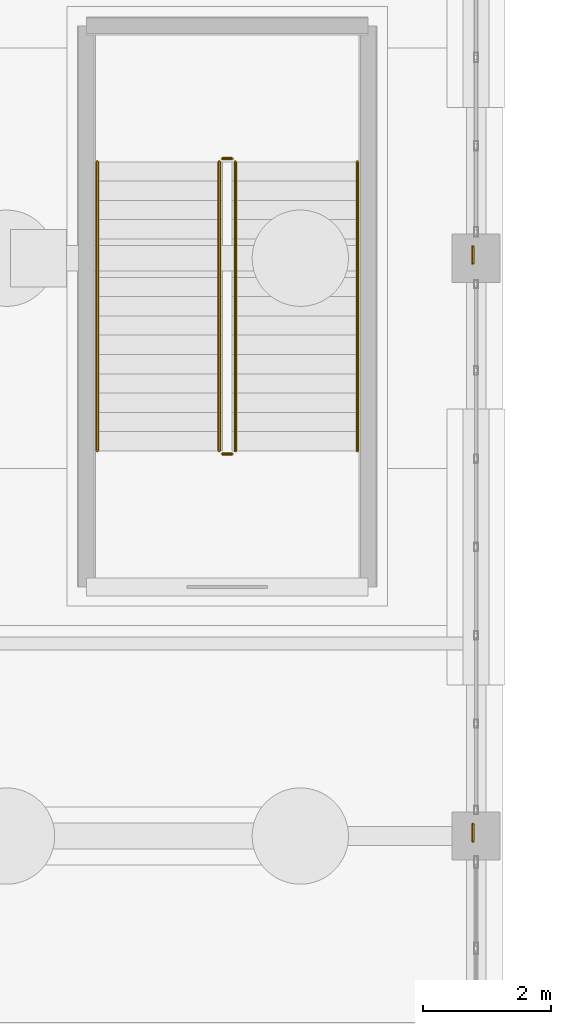
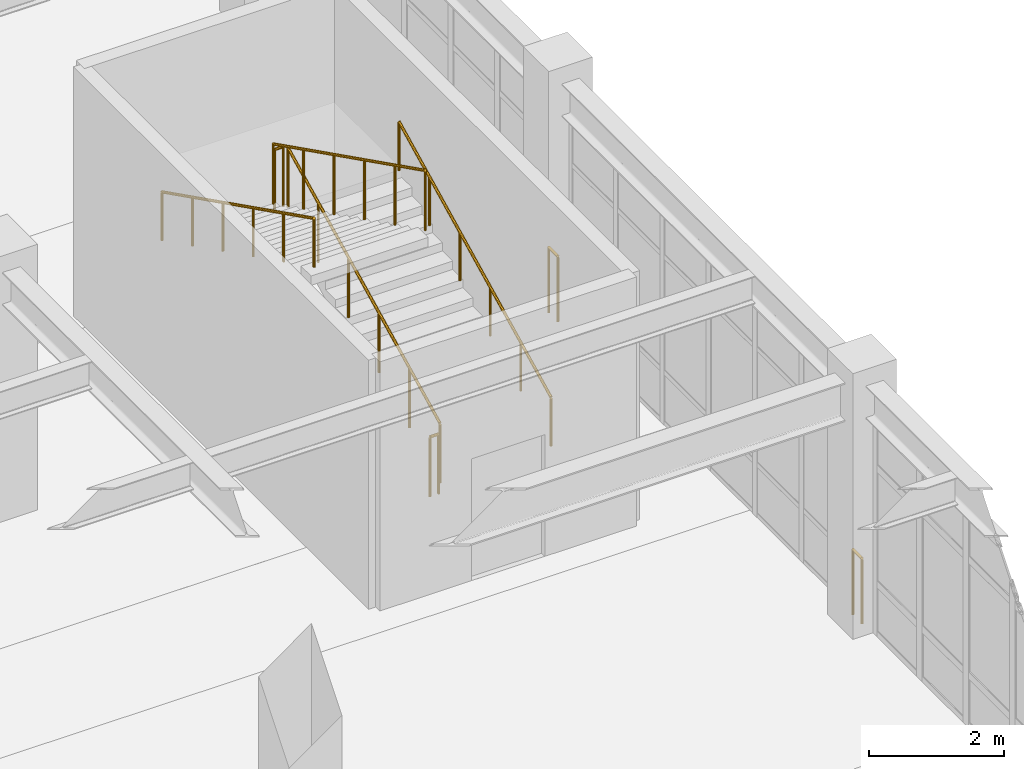
# One storey, part 136 of 139: 8 railings.
"""IFC4 building model written with IfcOpenShell, lengths in metres."""

from ifc_helpers import new_model, si_unit, direction, frame, origin, origin_2d, place, context, subcontext, project, spatial, circle, extrude, material, type_object, element, save


model = new_model("IFC4")

# Units and contexts
model_context = context("Model", 3, precision=1e-05, world=origin(), true_north=direction((0.0, 1.0)))
body_context = subcontext(model_context, "Body", "Model", "MODEL_VIEW")
ifc_project = project(units=[si_unit("LENGTHUNIT", "METRE"), si_unit("AREAUNIT", "SQUARE_METRE"), si_unit("VOLUMEUNIT", "CUBIC_METRE"), si_unit("PLANEANGLEUNIT", "RADIAN"), si_unit("MASSUNIT", "GRAM", prefix="KILO")], contexts=[model_context])

# Site, building, storey
site_placement = place(None, origin())
site = spatial("IfcSite", under=ifc_project, at=site_placement, CompositionType="ELEMENT")
building_placement = place(site_placement, origin())
building = spatial("IfcBuilding", under=site, at=building_placement, Name="Canglan Escarpment Cableway Terminal", CompositionType="ELEMENT")
storey_placement = place(building_placement, frame((0.0, 0.0, 14.39990234375)))
storey = spatial("IfcBuildingStorey", under=building, at=storey_placement, Name="L03", CompositionType="ELEMENT", Elevation=14.39990234375)

# Railings
ifc_material_1 = material(Name="Carved limestone and anodized bronze balustrade", Category="masonry")
railing_type_1 = type_object("IfcRailingType", Name="RL-EXT-BALUSTRADE-1200", PredefinedType="BALUSTRADE", material=ifc_material_1)
for number, where, name in (
    (1, (166.35009765625, 97.18505859375, 0.0), "Classical terrace balustrade guard GD-01 (L03)"),
    (2, (166.35009765625, 88.18505859375, 0.0), "Classical terrace balustrade guard GD-01 (L03)"),
):
    element("IfcRailing", number, at=place(storey_placement, frame(where)), inside=storey, type_object=railing_type_1, Name=name, PredefinedType="BALUSTRADE", context=body_context, shape_type="SweptSolid", body=[
        extrude(circle(Radius=0.02392578125, at=origin_2d()), frame((0.0, 0.0, 1.17578125), z_axis=(0.0, -1.0, 0.0), x_axis=(1.0, 0.0, 0.0)), (0.0, 0.0, 1.0), 0.27001953125),
        extrude(circle(Radius=0.02099609375, at=origin_2d()), origin(), (0.0, 0.0, 1.0), 1.15185546875),
        extrude(circle(Radius=0.02099609375, at=origin_2d()), frame((0.0, -0.27001953125, 0.0)), (0.0, 0.0, 1.0), 1.15185546875),
    ])
ifc_material_2 = material(Name="Powder-coated steel stair balustrade", Category="steel")
railing_type_2 = type_object("IfcRailingType", Name="RL-STR-GUARD-1100", PredefinedType="BALUSTRADE", material=ifc_material_2)
railing_1_placement = place(storey_placement, frame((162.64990234375, 94.0, 0.150146484375)))
element("IfcRailing", 3, at=railing_1_placement, inside=storey, type_object=railing_type_2, Name="L03 ST-17 stair guard 1", PredefinedType="BALUSTRADE", context=body_context, shape_type="SweptSolid", body=[
    extrude(circle(Radius=0.02392578125, at=origin_2d()), frame((0.0, 0.0, 1.076171875), z_axis=(0.0, 0.894427191, 0.4472135955), x_axis=(-1.0, 0.0, 0.0)), (0.0, 0.0, 1.0), 5.03125),
    extrude(circle(Radius=0.02099609375, at=origin_2d()), origin(), (0.0, 0.0, 1.0), 1.052001953125),
    extrude(circle(Radius=0.02099609375, at=origin_2d()), frame((0.0, 0.89990234375, 0.449951171875)), (0.0, 0.0, 1.0), 1.052001953125),
    extrude(circle(Radius=0.02099609375, at=origin_2d()), frame((0.0, 1.800048828125, 0.89990234375)), (0.0, 0.0, 1.0), 1.052001953125),
    extrude(circle(Radius=0.02099609375, at=origin_2d()), frame((0.0, 2.699951171875, 1.35009765625)), (0.0, 0.0, 1.0), 1.052001953125),
    extrude(circle(Radius=0.02099609375, at=origin_2d()), frame((0.0, 3.60009765625, 1.800048828125)), (0.0, 0.0, 1.0), 1.052001953125),
    extrude(circle(Radius=0.02099609375, at=origin_2d()), frame((0.0, 4.5, 2.25)), (0.0, 0.0, 1.0), 1.052001953125),
])
railing_2_placement = place(storey_placement, frame((162.60009765625, 98.550048828125, 2.400146484375)))
element("IfcRailing", 4, at=railing_2_placement, inside=storey, type_object=railing_type_2, Name="L03 ST-17 stair guard 2", PredefinedType="BALUSTRADE", context=body_context, shape_type="SweptSolid", body=[
    extrude(circle(Radius=0.02392578125, at=origin_2d()), frame((0.0, 0.0, 1.076171875), z_axis=(-1.0, 0.0, 0.0), x_axis=(0.0, -1.0, 0.0)), (0.0, 0.0, 1.0), 0.150146484375),
    extrude(circle(Radius=0.02099609375, at=origin_2d()), origin(), (0.0, 0.0, 1.0), 1.052001953125),
    extrude(circle(Radius=0.02099609375, at=origin_2d()), frame((-0.150146484375, 0.0, 0.0)), (0.0, 0.0, 1.0), 1.052001953125),
])
railing_3_placement = place(storey_placement, frame((162.39990234375, 98.5, 2.550048828125)))
element("IfcRailing", 5, at=railing_3_placement, inside=storey, type_object=railing_type_2, Name="L03 ST-17 stair guard 3", PredefinedType="BALUSTRADE", context=body_context, shape_type="SweptSolid", body=[
    extrude(circle(Radius=0.02392578125, at=origin_2d()), frame((0.0, 0.0, 1.076171875), z_axis=(0.0, -0.894427191, 0.4472135955), x_axis=(1.0, 0.0, 0.0)), (0.0, 0.0, 1.0), 5.03125),
    extrude(circle(Radius=0.02099609375, at=origin_2d()), origin(), (0.0, 0.0, 1.0), 1.052001953125),
    extrude(circle(Radius=0.02099609375, at=origin_2d()), frame((0.0, -0.89990234375, 0.449951171875)), (0.0, 0.0, 1.0), 1.052001953125),
    extrude(circle(Radius=0.02099609375, at=origin_2d()), frame((0.0, -1.800048828125, 0.89990234375)), (0.0, 0.0, 1.0), 1.052001953125),
    extrude(circle(Radius=0.02099609375, at=origin_2d()), frame((0.0, -2.699951171875, 1.35009765625)), (0.0, 0.0, 1.0), 1.052001953125),
    extrude(circle(Radius=0.02099609375, at=origin_2d()), frame((0.0, -3.60009765625, 1.800048828125)), (0.0, 0.0, 1.0), 1.052001953125),
    extrude(circle(Radius=0.02099609375, at=origin_2d()), frame((0.0, -4.5, 2.25)), (0.0, 0.0, 1.0), 1.052001953125),
])
railing_4_placement = place(storey_placement, frame((162.60009765625, 93.949951171875, 0.0)))
element("IfcRailing", 6, at=railing_4_placement, inside=storey, type_object=railing_type_2, Name="L03 ST-17 stair guard 4", PredefinedType="BALUSTRADE", context=body_context, shape_type="SweptSolid", body=[
    extrude(circle(Radius=0.02392578125, at=origin_2d()), frame((0.0, 0.0, 1.076171875), z_axis=(-1.0, 0.0, 0.0), x_axis=(0.0, -1.0, 0.0)), (0.0, 0.0, 1.0), 0.150146484375),
    extrude(circle(Radius=0.02099609375, at=origin_2d()), origin(), (0.0, 0.0, 1.0), 1.052001953125),
    extrude(circle(Radius=0.02099609375, at=origin_2d()), frame((-0.150146484375, 0.0, 0.0)), (0.0, 0.0, 1.0), 1.052001953125),
])
ifc_material_3 = material(Name="Brushed stainless steel 304 handrail", Category="steel")
railing_type_3 = type_object("IfcRailingType", Name="RL-STR-HR-900", PredefinedType="HANDRAIL", material=ifc_material_3)
railing_5_placement = place(storey_placement, frame((164.550048828125, 94.0, 0.150146484375)))
element("IfcRailing", 7, at=railing_5_placement, inside=storey, type_object=railing_type_3, Name="L03 ST-17 stair handrail 1", PredefinedType="HANDRAIL", context=body_context, shape_type="SweptSolid", body=[
    extrude(circle(Radius=0.02392578125, at=origin_2d()), frame((0.0, 0.0, 0.8759765625), z_axis=(0.0, 0.894427191, 0.4472135955), x_axis=(-1.0, 0.0, 0.0)), (0.0, 0.0, 1.0), 5.03125),
    extrude(circle(Radius=0.02099609375, at=origin_2d()), origin(), (0.0, 0.0, 1.0), 0.851806640625),
    extrude(circle(Radius=0.02099609375, at=origin_2d()), frame((0.0, 0.89990234375, 0.449951171875)), (0.0, 0.0, 1.0), 0.851806640625),
    extrude(circle(Radius=0.02099609375, at=origin_2d()), frame((0.0, 1.800048828125, 0.89990234375)), (0.0, 0.0, 1.0), 0.851806640625),
    extrude(circle(Radius=0.02099609375, at=origin_2d()), frame((0.0, 2.699951171875, 1.35009765625)), (0.0, 0.0, 1.0), 0.851806640625),
    extrude(circle(Radius=0.02099609375, at=origin_2d()), frame((0.0, 3.60009765625, 1.800048828125)), (0.0, 0.0, 1.0), 0.851806640625),
    extrude(circle(Radius=0.02099609375, at=origin_2d()), frame((0.0, 4.5, 2.25)), (0.0, 0.0, 1.0), 0.851806640625),
])
railing_6_placement = place(storey_placement, frame((160.5, 98.5, 2.550048828125)))
element("IfcRailing", 8, at=railing_6_placement, inside=storey, type_object=railing_type_3, Name="L03 ST-17 stair handrail 2", PredefinedType="HANDRAIL", context=body_context, shape_type="SweptSolid", body=[
    extrude(circle(Radius=0.02392578125, at=origin_2d()), frame((0.0, 0.0, 0.8759765625), z_axis=(0.0, -0.894427191, 0.4472135955), x_axis=(1.0, 0.0, 0.0)), (0.0, 0.0, 1.0), 5.03125),
    extrude(circle(Radius=0.02099609375, at=origin_2d()), origin(), (0.0, 0.0, 1.0), 0.851806640625),
    extrude(circle(Radius=0.02099609375, at=origin_2d()), frame((0.0, -0.89990234375, 0.449951171875)), (0.0, 0.0, 1.0), 0.851806640625),
    extrude(circle(Radius=0.02099609375, at=origin_2d()), frame((0.0, -1.800048828125, 0.89990234375)), (0.0, 0.0, 1.0), 0.851806640625),
    extrude(circle(Radius=0.02099609375, at=origin_2d()), frame((0.0, -2.699951171875, 1.35009765625)), (0.0, 0.0, 1.0), 0.851806640625),
    extrude(circle(Radius=0.02099609375, at=origin_2d()), frame((0.0, -3.60009765625, 1.800048828125)), (0.0, 0.0, 1.0), 0.851806640625),
    extrude(circle(Radius=0.02099609375, at=origin_2d()), frame((0.0, -4.5, 2.25)), (0.0, 0.0, 1.0), 0.851806640625),
])

save(model, "model.ifc")
